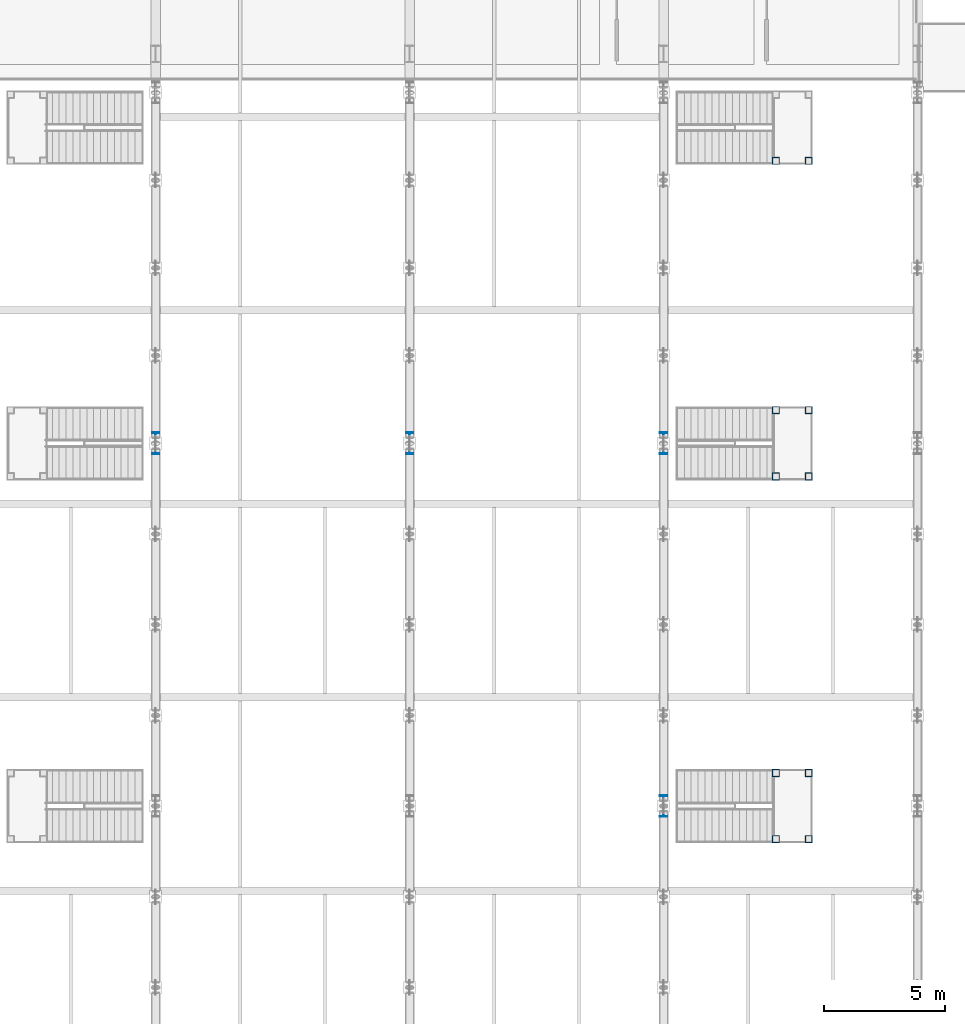
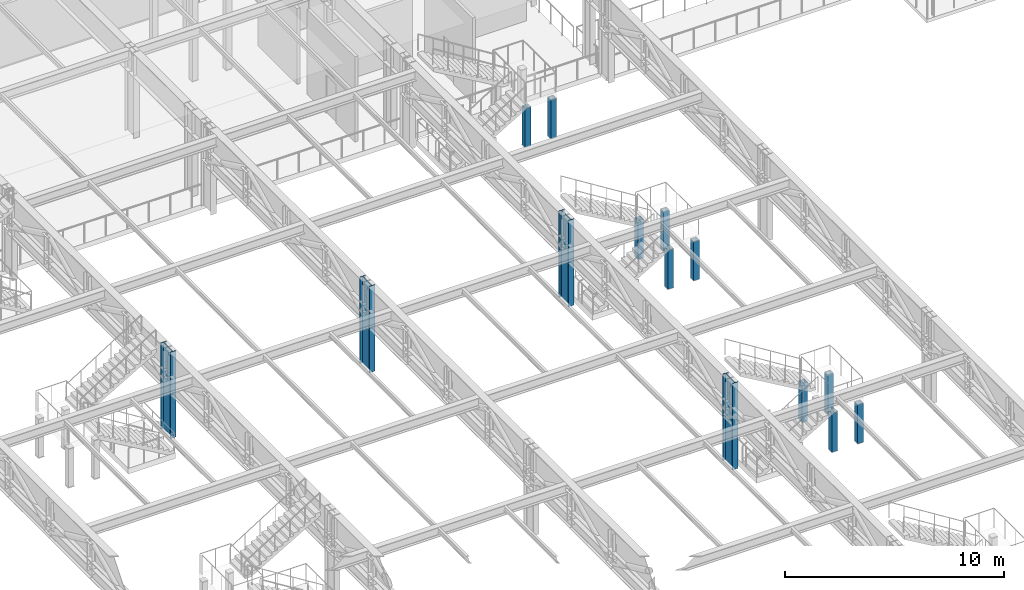
# One storey, part 12 of 143: 14 columns.
"""IFC4 building model written with IfcOpenShell, lengths in metres."""

from ifc_helpers import new_model, si_unit, direction, frame, origin, origin_2d, place, context, subcontext, project, spatial, hollow_rectangle, i_section, extrude, material, material_profile, profile_set, type_object, element, save


model = new_model("IFC4")

# Units and contexts
model_context = context("Model", 3, precision=1e-05, world=origin(), true_north=direction((0.0, 1.0)))
body_context = subcontext(model_context, "Body", "Model", "MODEL_VIEW")
ifc_project = project(units=[si_unit("LENGTHUNIT", "METRE"), si_unit("AREAUNIT", "SQUARE_METRE"), si_unit("VOLUMEUNIT", "CUBIC_METRE"), si_unit("PLANEANGLEUNIT", "RADIAN"), si_unit("MASSUNIT", "GRAM", prefix="KILO")], contexts=[model_context])

# Site, building, storey
site_placement = place(None, origin())
site = spatial("IfcSite", under=ifc_project, at=site_placement, CompositionType="ELEMENT")
building_placement = place(site_placement, origin())
building = spatial("IfcBuilding", under=site, at=building_placement, Name="Marlcrest Central Station", CompositionType="ELEMENT")
storey_placement = place(building_placement, frame((0.0, 0.0, 4.800048828125)))
storey = spatial("IfcBuildingStorey", under=building, at=storey_placement, Name="L01", CompositionType="ELEMENT", Elevation=4.800048828125)

# Columns
ifc_material = material(Name="Steel S355", Category="steel")
ifc_material_profile_1 = material_profile(ifc_material, i_section(OverallWidth=0.300048828125, OverallDepth=0.89990234375, WebThickness=0.0185546875, FlangeThickness=0.034912109375, FilletRadius=0.030029296875, at=origin_2d()), Name="HEB 900")
ifc_profile_set_1 = profile_set([ifc_material_profile_1], Name="Steel S355")
column_type_1 = type_object("IfcColumnType", Name="SC-09", PredefinedType="COLUMN", material=ifc_profile_set_1)
for number, where, z_axis, x_axis, name in (
    (1, (97.5, 81.0, 0.0), (0.0, 0.0, 1.0), (1.0, 0.0, 0.0), "col-SC-09-L01-0634"),
    (2, (108.0, 81.0, 0.0), (0.0, 0.0, 1.0), (1.0, 0.0, 0.0), "col-SC-09-L01-0644"),
    (3, (118.5, 66.0, 0.0), (0.0, 0.0, 1.0), (1.0, 0.0, 0.0), "col-SC-09-L01-0652"),
    (4, (118.5, 81.0, 0.0), (0.0, 0.0, 1.0), (1.0, 0.0, 0.0), "col-SC-09-L01-0654"),
):
    element("IfcColumn", number, at=place(storey_placement, frame(where, z_axis=z_axis, x_axis=x_axis)), inside=storey, type_object=column_type_1, Name=name, PredefinedType="COLUMN", context=body_context, shape_type="SweptSolid", body=[
        extrude(i_section(OverallWidth=0.300048828125, OverallDepth=0.89990234375, WebThickness=0.0185546875, FlangeThickness=0.034912109375, FilletRadius=0.030029296875, at=origin_2d()), origin(), (0.0, 0.0, 1.0), 4.81494140625),
    ])
ifc_material_profile_2 = material_profile(ifc_material, hollow_rectangle(XDim=0.300048828125, YDim=0.300048828125, WallThickness=0.01611328125, at=origin_2d()), Name="SHS 300x300x16")
ifc_profile_set_2 = profile_set([ifc_material_profile_2], Name="Steel S355")
column_type_2 = type_object("IfcColumnType", Name="SC-19", PredefinedType="COLUMN", material=ifc_profile_set_2)
for number, where, z_axis, x_axis, name in (
    (5, (123.139892578125, 64.6298828125, 0.0), (0.0, 0.0, 1.0), (1.0, 0.0, 0.0), "stcol-hi1-0018-1231-646"),
    (6, (123.139892578125, 67.3701171875, 0.0), (0.0, 0.0, 1.0), (1.0, 0.0, 0.0), "stcol-hi1-0018-1231-673"),
    (7, (124.5, 64.6298828125, 0.0), (0.0, 0.0, 1.0), (1.0, 0.0, 0.0), "stcol-hi1-0018-1245-646"),
    (8, (124.5, 67.3701171875, 0.0), (0.0, 0.0, 1.0), (1.0, 0.0, 0.0), "stcol-hi1-0018-1245-673"),
    (9, (123.139892578125, 79.6298828125, 0.0), (0.0, 0.0, 1.0), (1.0, 0.0, 0.0), "stcol-hi1-0024-1231-796"),
    (10, (123.139892578125, 82.3701171875, 0.0), (0.0, 0.0, 1.0), (1.0, 0.0, 0.0), "stcol-hi1-0024-1231-823"),
    (11, (124.5, 79.6298828125, 0.0), (0.0, 0.0, 1.0), (1.0, 0.0, 0.0), "stcol-hi1-0024-1245-796"),
    (12, (124.5, 82.3701171875, 0.0), (0.0, 0.0, 1.0), (1.0, 0.0, 0.0), "stcol-hi1-0024-1245-823"),
    (13, (123.139892578125, 92.679931640625, 0.0), (0.0, 0.0, 1.0), (1.0, 0.0, 0.0), "stcol-hi1-0030-1231-926"),
    (14, (124.5, 92.679931640625, 0.0), (0.0, 0.0, 1.0), (1.0, 0.0, 0.0), "stcol-hi1-0030-1245-926"),
):
    element("IfcColumn", number, at=place(storey_placement, frame(where, z_axis=z_axis, x_axis=x_axis)), inside=storey, type_object=column_type_2, Name=name, PredefinedType="COLUMN", context=body_context, shape_type="SweptSolid", body=[
        extrude(hollow_rectangle(XDim=0.300048828125, YDim=0.300048828125, WallThickness=0.01611328125, at=origin_2d()), origin(), (0.0, 0.0, 1.0), 2.179931640625),
    ])

save(model, "model.ifc")
